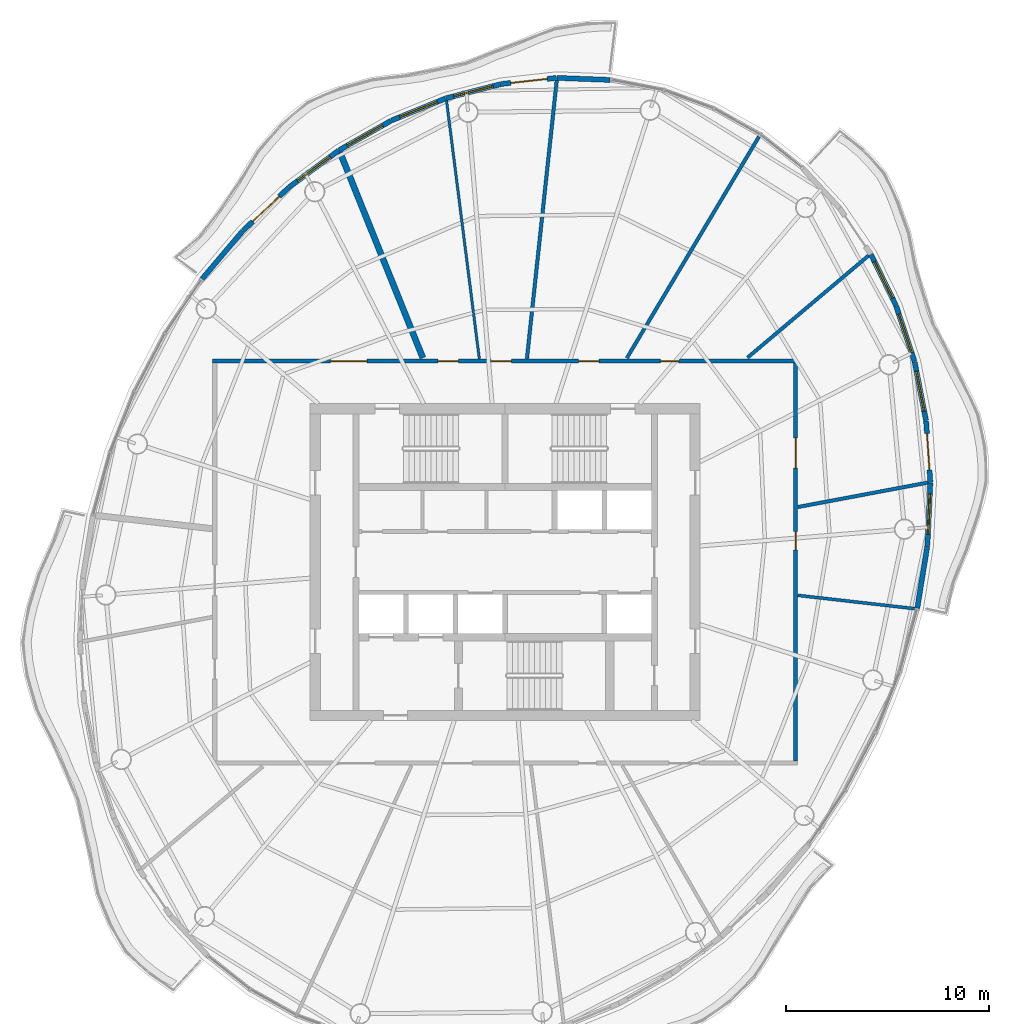
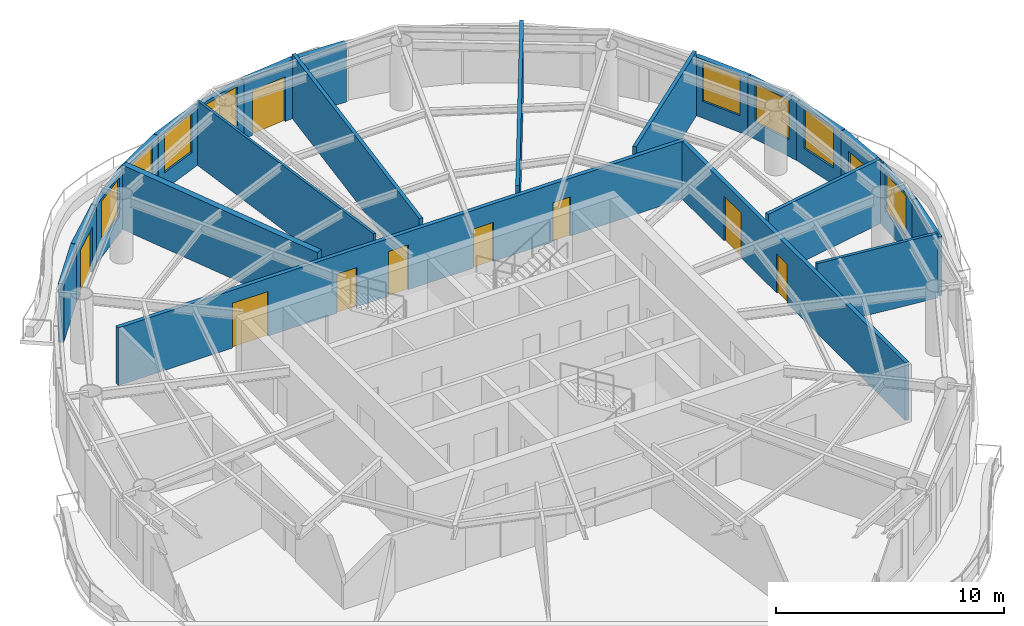
# One storey, part 9 of 13: 23 walls, 10 doors, 8 windows, 18 openings.
"""IFC4 building model written with IfcOpenShell, lengths in metres."""

from ifc_helpers import new_model, si_unit, direction, frame, frame_2d, origin, place, context, subcontext, project, spatial, rectangle, extrude, material, layer, layer_set, type_object, element, fill, save


model = new_model("IFC4")

# Units and contexts
model_context = context("Model", 3, precision=1e-05, world=origin(), true_north=direction((0.0, 1.0)))
body_context = subcontext(model_context, "Body", "Model", "MODEL_VIEW")
ifc_project = project(units=[si_unit("LENGTHUNIT", "METRE"), si_unit("AREAUNIT", "SQUARE_METRE"), si_unit("VOLUMEUNIT", "CUBIC_METRE"), si_unit("PLANEANGLEUNIT", "RADIAN"), si_unit("MASSUNIT", "GRAM", prefix="KILO")], contexts=[model_context])

# Site, building, storey
site_placement = place(None, origin())
site = spatial("IfcSite", under=ifc_project, at=site_placement, CompositionType="ELEMENT")
building_placement = place(site_placement, origin())
building = spatial("IfcBuilding", under=site, at=building_placement, Name="Vermilion Reach Broadcast Tower", CompositionType="ELEMENT")
storey_placement = place(building_placement, frame((0.0, 0.0, 293.699951171875)))
storey = spatial("IfcBuildingStorey", under=building, at=storey_placement, Name="L73", CompositionType="ELEMENT", Elevation=293.699951171875)

# Walls
ifc_material_1 = material(Name="Fire-rated plasterboard on steel stud", Category="steel")
ifc_layer_1 = layer(ifc_material_1, 0.125)
ifc_layer_set_1 = layer_set([ifc_layer_1], Name="Partition 125 fire-rated stud")
wall_type_1 = type_object("IfcWallType", Name="Partition 125 fire-rated stud", PredefinedType="PARTITIONING", material=ifc_layer_set_1)
wall_1_placement = place(storey_placement, frame((-8.88525390625, 22.716064453125, 0.0), z_axis=(0.0, 0.0, 1.0), x_axis=(0.125993078933, -0.99203112051, 0.0)))
element("IfcWall", 1, at=wall_1_placement, inside=storey, type_object=wall_type_1, Name="Partition 73.02", PredefinedType="PARTITIONING", context=body_context, shape_type="SweptSolid", body=[
    extrude(rectangle(XDim=12.810302734375, YDim=0.125, at=frame_2d((6.4052734375, 0.0))), origin(), (0.0, 0.0, 1.0), 3.449951171875),
])
ifc_material_2 = material(Name="Lightweight concrete block, plastered", Category="concrete")
ifc_layer_2 = layer(ifc_material_2, 0.14990234375)
ifc_layer_set_2 = layer_set([ifc_layer_2], Name="Partition 150 lightweight block")
wall_type_2 = type_object("IfcWallType", Name="Partition 150 lightweight block", PredefinedType="PARTITIONING", material=ifc_layer_set_2)
wall_2_placement = place(storey_placement, frame((14.16552734375, -2.295166015625, 0.0), z_axis=(0.0, 0.0, 1.0), x_axis=(-0.993584718802, 0.113090258482, 0.0)))
element("IfcWall", 2, at=wall_2_placement, inside=storey, type_object=wall_type_2, Name="Partition 73.10", PredefinedType="PARTITIONING", context=body_context, shape_type="SweptSolid", body=[
    extrude(rectangle(XDim=5.794189453125, YDim=0.14990234375, at=frame_2d((2.89697265625, 0.0))), origin(), (0.0, 0.0, 1.0), 3.449951171875),
])
ifc_material_3 = material(Name="Fire-rated block, plastered")
ifc_layer_3 = layer(ifc_material_3, 0.175048828125)
ifc_layer_set_3 = layer_set([ifc_layer_3], Name="Partition 175 fire-rated block")
wall_type_3 = type_object("IfcWallType", Name="Partition 175 fire-rated block", PredefinedType="PARTITIONING", material=ifc_layer_set_3)
wall_3_placement = place(storey_placement, frame((-3.459228515625, 23.717041015625, 0.0), z_axis=(0.0, 0.0, 1.0), x_axis=(-0.10651999257, -0.994310560732, 0.0)))
element("IfcWall", 3, at=wall_3_placement, inside=storey, type_object=wall_type_3, Name="Partition 73.01", PredefinedType="PARTITIONING", context=body_context, shape_type="SweptSolid", body=[
    extrude(rectangle(XDim=13.7861328125, YDim=0.175048828125, at=frame_2d((6.89306640625, 0.0))), origin(), (0.0, 0.0, 1.0), 3.449951171875),
])
wall_4_placement = place(storey_placement, frame((14.81494140625, 3.911865234375, 0.0), z_axis=(0.0, 0.0, 1.0), x_axis=(-0.982791861664, -0.184716422243, 0.0)))
element("IfcWall", 4, at=wall_4_placement, inside=storey, type_object=wall_type_3, Name="Partition 73.11", PredefinedType="PARTITIONING", context=body_context, shape_type="SweptSolid", body=[
    extrude(rectangle(XDim=6.5107421875, YDim=0.175048828125, at=frame_2d((3.25537109375, 0.0))), origin(), (0.0, 0.0, 1.0), 3.449951171875),
])
wall_5_placement = place(storey_placement, frame((11.902099609375, 15.095458984375, 0.0), z_axis=(0.0, 0.0, 1.0), x_axis=(-0.764496313842, -0.644628099079, 0.0)))
element("IfcWall", 5, at=wall_5_placement, inside=storey, type_object=wall_type_3, Name="Partition 73.12", PredefinedType="PARTITIONING", context=body_context, shape_type="SweptSolid", body=[
    extrude(rectangle(XDim=7.80078125, YDim=0.175048828125, at=frame_2d((3.900390625, 0.0))), origin(), (0.0, 0.0, 1.0), 3.449951171875),
])
wall_6_placement = place(storey_placement, frame((6.49560546875, 20.940185546875, 0.0), z_axis=(0.0, 0.0, 1.0), x_axis=(-0.512439887576, -0.858723099503, 0.0)))
element("IfcWall", 6, at=wall_6_placement, inside=storey, type_object=wall_type_3, Name="Partition 73.13", PredefinedType="PARTITIONING", context=body_context, shape_type="SweptSolid", body=[
    extrude(rectangle(XDim=12.687744140625, YDim=0.175048828125, at=frame_2d((6.34375, 0.0))), origin(), (0.0, 0.0, 1.0), 3.449951171875),
])
ifc_material_4 = material(Name="Double-leaf plasterboard on isolated steel stud", Category="steel")
ifc_layer_4 = layer(ifc_material_4, 0.300048828125)
ifc_layer_set_4 = layer_set([ifc_layer_4], Name="Partition 300 acoustic double leaf")
wall_type_4 = type_object("IfcWallType", Name="Partition 300 acoustic double leaf", PredefinedType="PARTITIONING", material=ifc_layer_set_4)
wall_7_placement = place(storey_placement, frame((-14.126220703125, 20.16552734375, 0.0), z_axis=(0.0, 0.0, 1.0), x_axis=(0.373780009818, -0.927517387579, 0.0)))
element("IfcWall", 7, at=wall_7_placement, inside=storey, type_object=wall_type_4, Name="Partition 73.03", PredefinedType="PARTITIONING", context=body_context, shape_type="SweptSolid", body=[
    extrude(rectangle(XDim=10.8994140625, YDim=0.300048828125, at=frame_2d((5.44970703125, 0.0))), origin(), (0.0, 0.0, 1.0), 3.449951171875),
])
ifc_material_5 = material(Name="Terracotta rainscreen cladding", Category="masonry")
ifc_layer_5 = layer(ifc_material_5, 0.25)
ifc_layer_set_5 = layer_set([ifc_layer_5], Name="Terracotta rainscreen wall 250")
wall_type_5 = type_object("IfcWallType", Name="Terracotta rainscreen wall 250", PredefinedType="SOLIDWALL", material=ifc_layer_set_5)
wall_8_placement = place(storey_placement, frame((-0.8330078125, 23.739990234375, 0.0), z_axis=(0.0, 0.0, 1.0), x_axis=(-0.999251644624, 0.038680107501, 0.0)))
element("IfcWall", 8, at=wall_8_placement, inside=storey, type_object=wall_type_5, Name="External wall L73 02", PredefinedType="SOLIDWALL", context=body_context, shape_type="SweptSolid", body=[
    extrude(rectangle(XDim=2.619384765625, YDim=0.25, at=frame_2d((1.3095703125, 0.0))), origin(), (0.0, 0.0, 1.0), 3.150146484375),
])

# Wall, opening, door
wall_9_placement = place(storey_placement, frame((-3.47705078125, 23.84033203125, 0.0), z_axis=(0.0, 0.0, 1.0), x_axis=(-0.993924144264, -0.110067231499, 0.0)))
wall_9 = element("IfcWall", 9, at=wall_9_placement, inside=storey, type_object=wall_type_5, Name="External wall L73 03", PredefinedType="SOLIDWALL", context=body_context, shape_type="SweptSolid", body=[
    extrude(rectangle(XDim=2.7216796875, YDim=0.25, at=frame_2d((1.36083984375, 0.0))), origin(), (0.0, 0.0, 1.0), 3.150146484375),
])
opening_1_placement = place(wall_9_placement, frame((0.4609375, 0.0, 0.0)))
opening_1 = element("IfcOpeningElement", 10, at=opening_1_placement, cuts=wall_9, Name="Opening D70", PredefinedType="OPENING", context=body_context, shape_type="SweptSolid", body=[
    extrude(rectangle(XDim=1.800048828125, YDim=2.39990234375, at=frame_2d((0.89990234375, 1.199951171875))), frame((0.0, 0.135009765625, 0.0), z_axis=(0.0, -1.0, 0.0), x_axis=(1.0, 0.0, 0.0)), (0.0, 0.0, 1.0), 0.27001953125),
])
ifc_material_6 = material(Name="Low-e laminated clear glass in aluminium frame", Category="aluminium")
door_type_1 = type_object("IfcDoorType", Name="Balcony sliding door 1800 x 2400", OperationType="DOUBLE_DOOR_SLIDING", PredefinedType="DOOR", material=ifc_material_6)
door_1_placement = place(opening_1_placement, origin())
door_1 = element("IfcDoor", 11, at=door_1_placement, inside=storey, type_object=door_type_1, Name="Balcony door L73 run 01", OperationType="DOUBLE_DOOR_SLIDING", OverallHeight=2.39990234375, OverallWidth=1.800048828125, PredefinedType="DOOR", context=body_context, shape_type="SweptSolid", body=[
    extrude(rectangle(XDim=1.800048828125, YDim=2.39990234375, at=frame_2d((0.89990234375, 1.199951171875))), frame((0.0, 0.02490234375, 0.0), z_axis=(0.0, -1.0, 0.0), x_axis=(1.0, 0.0, 0.0)), (0.0, 0.0, 1.0), 0.050048828125),
])
fill(opening_1, door_1)

# Wall, opening, window
wall_10_placement = place(storey_placement, frame((-6.207275390625, 23.5361328125, 0.0), z_axis=(0.0, 0.0, 1.0), x_axis=(-0.968247991757, -0.249991652777, 0.0)))
wall_10 = element("IfcWall", 12, at=wall_10_placement, inside=storey, type_object=wall_type_5, Name="External wall L73 04", PredefinedType="SOLIDWALL", context=body_context, shape_type="SweptSolid", body=[
    extrude(rectangle(XDim=2.7939453125, YDim=0.25, at=frame_2d((1.39697265625, 0.0))), origin(), (0.0, 0.0, 1.0), 3.150146484375),
])
opening_2_placement = place(wall_10_placement, frame((0.39697265625, 0.0, 0.89990234375)))
opening_2 = element("IfcOpeningElement", 13, at=opening_2_placement, cuts=wall_10, Name="Opening W03", PredefinedType="OPENING", context=body_context, shape_type="SweptSolid", body=[
    extrude(rectangle(XDim=2.0, YDim=2.10009765625, at=frame_2d((1.0, 1.050048828125))), frame((0.0, 0.135009765625, 0.0), z_axis=(0.0, -1.0, 0.0), x_axis=(1.0, 0.0, 0.0)), (0.0, 0.0, 1.0), 0.27001953125),
])
ifc_material_7 = material(Name="Low-e laminated clear glass in aluminium frame", Category="aluminium")
window_type = type_object("IfcWindowType", Name="Punched window 2000 x 2100 sill 900", PartitioningType="SINGLE_PANEL", PredefinedType="WINDOW", material=ifc_material_7)
window_1_placement = place(opening_2_placement, origin())
window_1 = element("IfcWindow", 14, at=window_1_placement, inside=storey, type_object=window_type, Name="Window L73 04", OverallHeight=2.10009765625, OverallWidth=2.0, PartitioningType="SINGLE_PANEL", PredefinedType="WINDOW", context=body_context, shape_type="SweptSolid", body=[
    extrude(rectangle(XDim=2.0, YDim=2.10009765625, at=frame_2d((1.0, 1.050048828125))), frame((0.0, 0.030029296875, 0.0), z_axis=(0.0, -1.0, 0.0), x_axis=(1.0, 0.0, 0.0)), (0.0, 0.0, 1.0), 0.06005859375),
])
fill(opening_2, window_1)

wall_11_placement = place(storey_placement, frame((-8.936279296875, 22.829833984375, 0.0), z_axis=(0.0, 0.0, 1.0), x_axis=(-0.925732306154, -0.378179451243, 0.0)))
wall_11 = element("IfcWall", 15, at=wall_11_placement, inside=storey, type_object=wall_type_5, Name="External wall L73 05", PredefinedType="SOLIDWALL", context=body_context, shape_type="SweptSolid", body=[
    extrude(rectangle(XDim=2.872802734375, YDim=0.25, at=frame_2d((1.4365234375, 0.0))), origin(), (0.0, 0.0, 1.0), 3.150146484375),
])
opening_3_placement = place(wall_11_placement, frame((0.436279296875, 0.0, 0.89990234375)))
opening_3 = element("IfcOpeningElement", 16, at=opening_3_placement, cuts=wall_11, Name="Opening W03", PredefinedType="OPENING", context=body_context, shape_type="SweptSolid", body=[
    extrude(rectangle(XDim=2.0, YDim=2.10009765625, at=frame_2d((1.0, 1.050048828125))), frame((0.0, 0.135009765625, 0.0), z_axis=(0.0, -1.0, 0.0), x_axis=(1.0, 0.0, 0.0)), (0.0, 0.0, 1.0), 0.27001953125),
])
window_2_placement = place(opening_3_placement, origin())
window_2 = element("IfcWindow", 17, at=window_2_placement, inside=storey, type_object=window_type, Name="Window L73 05", OverallHeight=2.10009765625, OverallWidth=2.0, PartitioningType="SINGLE_PANEL", PredefinedType="WINDOW", context=body_context, shape_type="SweptSolid", body=[
    extrude(rectangle(XDim=2.0, YDim=2.10009765625, at=frame_2d((1.0, 1.050048828125))), frame((0.0, 0.030029296875, 0.0), z_axis=(0.0, -1.0, 0.0), x_axis=(1.0, 0.0, 0.0)), (0.0, 0.0, 1.0), 0.06005859375),
])
fill(opening_3, window_2)

wall_12_placement = place(storey_placement, frame((-11.6171875, 21.73291015625, 0.0), z_axis=(0.0, 0.0, 1.0), x_axis=(-0.869684955628, -0.493607210194, 0.0)))
wall_12 = element("IfcWall", 18, at=wall_12_placement, inside=storey, type_object=wall_type_5, Name="External wall L73 06", PredefinedType="SOLIDWALL", context=body_context, shape_type="SweptSolid", body=[
    extrude(rectangle(XDim=2.951904296875, YDim=0.25, at=frame_2d((1.47607421875, 0.0))), origin(), (0.0, 0.0, 1.0), 3.150146484375),
])
opening_4_placement = place(wall_12_placement, frame((0.475830078125, 0.0, 0.89990234375)))
opening_4 = element("IfcOpeningElement", 19, at=opening_4_placement, cuts=wall_12, Name="Opening W03", PredefinedType="OPENING", context=body_context, shape_type="SweptSolid", body=[
    extrude(rectangle(XDim=2.0, YDim=2.10009765625, at=frame_2d((1.0, 1.050048828125))), frame((0.0, 0.135009765625, 0.0), z_axis=(0.0, -1.0, 0.0), x_axis=(1.0, 0.0, 0.0)), (0.0, 0.0, 1.0), 0.27001953125),
])
window_3_placement = place(opening_4_placement, origin())
window_3 = element("IfcWindow", 20, at=window_3_placement, inside=storey, type_object=window_type, Name="Window L73 06", OverallHeight=2.10009765625, OverallWidth=2.0, PartitioningType="SINGLE_PANEL", PredefinedType="WINDOW", context=body_context, shape_type="SweptSolid", body=[
    extrude(rectangle(XDim=2.0, YDim=2.10009765625, at=frame_2d((1.0, 1.050048828125))), frame((0.0, 0.030029296875, 0.0), z_axis=(0.0, -1.0, 0.0), x_axis=(1.0, 0.0, 0.0)), (0.0, 0.0, 1.0), 0.06005859375),
])
fill(opening_4, window_3)

wall_13_placement = place(storey_placement, frame((-14.203857421875, 20.26318359375, 0.0), z_axis=(0.0, 0.0, 1.0), x_axis=(-0.803029531198, -0.595939235178, 0.0)))
wall_13 = element("IfcWall", 21, at=wall_13_placement, inside=storey, type_object=wall_type_5, Name="External wall L73 07", PredefinedType="SOLIDWALL", context=body_context, shape_type="SweptSolid", body=[
    extrude(rectangle(XDim=3.0263671875, YDim=0.25, at=frame_2d((1.51318359375, 0.0))), origin(), (0.0, 0.0, 1.0), 3.150146484375),
])
opening_5_placement = place(wall_13_placement, frame((0.51318359375, 0.0, 0.89990234375)))
opening_5 = element("IfcOpeningElement", 22, at=opening_5_placement, cuts=wall_13, Name="Opening W03", PredefinedType="OPENING", context=body_context, shape_type="SweptSolid", body=[
    extrude(rectangle(XDim=2.0, YDim=2.10009765625, at=frame_2d((1.0, 1.050048828125))), frame((0.0, 0.135009765625, 0.0), z_axis=(0.0, -1.0, 0.0), x_axis=(1.0, 0.0, 0.0)), (0.0, 0.0, 1.0), 0.27001953125),
])
window_4_placement = place(opening_5_placement, origin())
window_4 = element("IfcWindow", 23, at=window_4_placement, inside=storey, type_object=window_type, Name="Window L73 07", OverallHeight=2.10009765625, OverallWidth=2.0, PartitioningType="SINGLE_PANEL", PredefinedType="WINDOW", context=body_context, shape_type="SweptSolid", body=[
    extrude(rectangle(XDim=2.0, YDim=2.10009765625, at=frame_2d((1.0, 1.050048828125))), frame((0.0, 0.030029296875, 0.0), z_axis=(0.0, -1.0, 0.0), x_axis=(1.0, 0.0, 0.0)), (0.0, 0.0, 1.0), 0.06005859375),
])
fill(opening_5, window_4)

# Wall, opening, door
wall_14_placement = place(storey_placement, frame((-16.6513671875, 18.4453125, 0.0), z_axis=(0.0, 0.0, 1.0), x_axis=(-0.728070141896, -0.685502639295, 0.0)))
wall_14 = element("IfcWall", 24, at=wall_14_placement, inside=storey, type_object=wall_type_5, Name="External wall L73 08", PredefinedType="SOLIDWALL", context=body_context, shape_type="SweptSolid", body=[
    extrude(rectangle(XDim=3.09130859375, YDim=0.25, at=frame_2d((1.545654296875, 0.0))), origin(), (0.0, 0.0, 1.0), 3.150146484375),
])
opening_6_placement = place(wall_14_placement, frame((0.64599609375, 0.0, 0.0)))
opening_6 = element("IfcOpeningElement", 25, at=opening_6_placement, cuts=wall_14, Name="Opening D70", PredefinedType="OPENING", context=body_context, shape_type="SweptSolid", body=[
    extrude(rectangle(XDim=1.800048828125, YDim=2.39990234375, at=frame_2d((0.89990234375, 1.199951171875))), frame((0.0, 0.135009765625, 0.0), z_axis=(0.0, -1.0, 0.0), x_axis=(1.0, 0.0, 0.0)), (0.0, 0.0, 1.0), 0.27001953125),
])
door_2_placement = place(opening_6_placement, origin())
door_2 = element("IfcDoor", 26, at=door_2_placement, inside=storey, type_object=door_type_1, Name="Balcony door L73 run 02", OperationType="DOUBLE_DOOR_SLIDING", OverallHeight=2.39990234375, OverallWidth=1.800048828125, PredefinedType="DOOR", context=body_context, shape_type="SweptSolid", body=[
    extrude(rectangle(XDim=1.800048828125, YDim=2.39990234375, at=frame_2d((0.89990234375, 1.199951171875))), frame((0.0, 0.02490234375, 0.0), z_axis=(0.0, -1.0, 0.0), x_axis=(1.0, 0.0, 0.0)), (0.0, 0.0, 1.0), 0.050048828125),
])
fill(opening_6, door_2)

# Walls
for number, where, z_axis, x_axis, name in (
    (27, (-18.917236328125, 16.31005859375, 0.0), (0.0, 0.0, 1.0), (-0.646362376252, -0.763030588224, 0.0), "External wall L73 09"),
    (28, (14.29638671875, -2.267578125, 0.0), (0.0, 0.0, 1.0), (0.159440477827, 0.987207543544, 0.0), "External wall L73 38"),
):
    element("IfcWall", number, at=place(storey_placement, frame(where, z_axis=z_axis, x_axis=x_axis)), inside=storey, type_object=wall_type_5, Name=name, PredefinedType="SOLIDWALL", context=body_context, shape_type="SweptSolid", body=[
        extrude(rectangle(XDim=3.09912109375, YDim=0.25, at=frame_2d((1.549560546875, 0.0))), origin(), (0.0, 0.0, 1.0), 3.150146484375),
    ])

# Wall, opening, window
wall_15_placement = place(storey_placement, frame((14.79296875, 0.81396484375, 0.0), z_axis=(0.0, 0.0, 1.0), x_axis=(0.047385042598, 0.998876697965, 0.0)))
wall_15 = element("IfcWall", 29, at=wall_15_placement, inside=storey, type_object=wall_type_5, Name="External wall L73 39", PredefinedType="SOLIDWALL", context=body_context, shape_type="SweptSolid", body=[
    extrude(rectangle(XDim=3.09130859375, YDim=0.25, at=frame_2d((1.545654296875, 0.0))), origin(), (0.0, 0.0, 1.0), 3.150146484375),
])
opening_7_placement = place(wall_15_placement, frame((0.545654296875, 0.0, 0.89990234375)))
opening_7 = element("IfcOpeningElement", 30, at=opening_7_placement, cuts=wall_15, Name="Opening W03", PredefinedType="OPENING", context=body_context, shape_type="SweptSolid", body=[
    extrude(rectangle(XDim=2.0, YDim=2.10009765625, at=frame_2d((1.0, 1.050048828125))), frame((0.0, 0.135009765625, 0.0), z_axis=(0.0, -1.0, 0.0), x_axis=(1.0, 0.0, 0.0)), (0.0, 0.0, 1.0), 0.27001953125),
])
window_5_placement = place(opening_7_placement, origin())
window_5 = element("IfcWindow", 31, at=window_5_placement, inside=storey, type_object=window_type, Name="Window L73 39", OverallHeight=2.10009765625, OverallWidth=2.0, PartitioningType="SINGLE_PANEL", PredefinedType="WINDOW", context=body_context, shape_type="SweptSolid", body=[
    extrude(rectangle(XDim=2.0, YDim=2.10009765625, at=frame_2d((1.0, 1.050048828125))), frame((0.0, 0.030029296875, 0.0), z_axis=(0.0, -1.0, 0.0), x_axis=(1.0, 0.0, 0.0)), (0.0, 0.0, 1.0), 0.06005859375),
])
fill(opening_7, window_5)

# Wall, opening, door
wall_16_placement = place(storey_placement, frame((14.939208984375, 3.924560546875, 0.0), z_axis=(0.0, 0.0, 1.0), x_axis=(-0.069463827697, 0.997584470931, 0.0)))
wall_16 = element("IfcWall", 32, at=wall_16_placement, inside=storey, type_object=wall_type_5, Name="External wall L73 40", PredefinedType="SOLIDWALL", context=body_context, shape_type="SweptSolid", body=[
    extrude(rectangle(XDim=3.026123046875, YDim=0.25, at=frame_2d((1.51318359375, 0.0))), origin(), (0.0, 0.0, 1.0), 3.150146484375),
])
opening_8_placement = place(wall_16_placement, frame((0.613037109375, 0.0, 0.0)))
opening_8 = element("IfcOpeningElement", 33, at=opening_8_placement, cuts=wall_16, Name="Opening D70", PredefinedType="OPENING", context=body_context, shape_type="SweptSolid", body=[
    extrude(rectangle(XDim=1.800048828125, YDim=2.39990234375, at=frame_2d((0.89990234375, 1.199951171875))), frame((0.0, 0.135009765625, 0.0), z_axis=(0.0, -1.0, 0.0), x_axis=(1.0, 0.0, 0.0)), (0.0, 0.0, 1.0), 0.27001953125),
])
door_3_placement = place(opening_8_placement, origin())
door_3 = element("IfcDoor", 34, at=door_3_placement, inside=storey, type_object=door_type_1, Name="Balcony door L73 run 10", OperationType="DOUBLE_DOOR_SLIDING", OverallHeight=2.39990234375, OverallWidth=1.800048828125, PredefinedType="DOOR", context=body_context, shape_type="SweptSolid", body=[
    extrude(rectangle(XDim=1.800048828125, YDim=2.39990234375, at=frame_2d((0.89990234375, 1.199951171875))), frame((0.0, 0.02490234375, 0.0), z_axis=(0.0, -1.0, 0.0), x_axis=(1.0, 0.0, 0.0)), (0.0, 0.0, 1.0), 0.050048828125),
])
fill(opening_8, door_3)

# Wall, opening, window
wall_17_placement = place(storey_placement, frame((14.725830078125, 6.96630859375, 0.0), z_axis=(0.0, 0.0, 1.0), x_axis=(-0.190466761953, 0.981693644978, 0.0)))
wall_17 = element("IfcWall", 35, at=wall_17_placement, inside=storey, type_object=wall_type_5, Name="External wall L73 41", PredefinedType="SOLIDWALL", context=body_context, shape_type="SweptSolid", body=[
    extrude(rectangle(XDim=2.951904296875, YDim=0.25, at=frame_2d((1.47607421875, 0.0))), origin(), (0.0, 0.0, 1.0), 3.150146484375),
])
opening_9_placement = place(wall_17_placement, frame((0.475830078125, 0.0, 0.89990234375)))
opening_9 = element("IfcOpeningElement", 36, at=opening_9_placement, cuts=wall_17, Name="Opening W03", PredefinedType="OPENING", context=body_context, shape_type="SweptSolid", body=[
    extrude(rectangle(XDim=2.0, YDim=2.10009765625, at=frame_2d((1.0, 1.050048828125))), frame((0.0, 0.135009765625, 0.0), z_axis=(0.0, -1.0, 0.0), x_axis=(1.0, 0.0, 0.0)), (0.0, 0.0, 1.0), 0.27001953125),
])
window_6_placement = place(opening_9_placement, origin())
window_6 = element("IfcWindow", 37, at=window_6_placement, inside=storey, type_object=window_type, Name="Window L73 41", OverallHeight=2.10009765625, OverallWidth=2.0, PartitioningType="SINGLE_PANEL", PredefinedType="WINDOW", context=body_context, shape_type="SweptSolid", body=[
    extrude(rectangle(XDim=2.0, YDim=2.10009765625, at=frame_2d((1.0, 1.050048828125))), frame((0.0, 0.030029296875, 0.0), z_axis=(0.0, -1.0, 0.0), x_axis=(1.0, 0.0, 0.0)), (0.0, 0.0, 1.0), 0.06005859375),
])
fill(opening_9, window_6)

wall_18_placement = place(storey_placement, frame((14.157470703125, 9.887451171875, 0.0), z_axis=(0.0, 0.0, 1.0), x_axis=(-0.314544485277, 0.949242733331, 0.0)))
wall_18 = element("IfcWall", 38, at=wall_18_placement, inside=storey, type_object=wall_type_5, Name="External wall L73 42", PredefinedType="SOLIDWALL", context=body_context, shape_type="SweptSolid", body=[
    extrude(rectangle(XDim=2.87255859375, YDim=0.25, at=frame_2d((1.436279296875, 0.0))), origin(), (0.0, 0.0, 1.0), 3.150146484375),
])
opening_10_placement = place(wall_18_placement, frame((0.436279296875, 0.0, 0.89990234375)))
opening_10 = element("IfcOpeningElement", 39, at=opening_10_placement, cuts=wall_18, Name="Opening W03", PredefinedType="OPENING", context=body_context, shape_type="SweptSolid", body=[
    extrude(rectangle(XDim=2.0, YDim=2.10009765625, at=frame_2d((1.0, 1.050048828125))), frame((0.0, 0.135009765625, 0.0), z_axis=(0.0, -1.0, 0.0), x_axis=(1.0, 0.0, 0.0)), (0.0, 0.0, 1.0), 0.27001953125),
])
window_7_placement = place(opening_10_placement, origin())
window_7 = element("IfcWindow", 40, at=window_7_placement, inside=storey, type_object=window_type, Name="Window L73 42", OverallHeight=2.10009765625, OverallWidth=2.0, PartitioningType="SINGLE_PANEL", PredefinedType="WINDOW", context=body_context, shape_type="SweptSolid", body=[
    extrude(rectangle(XDim=2.0, YDim=2.10009765625, at=frame_2d((1.0, 1.050048828125))), frame((0.0, 0.030029296875, 0.0), z_axis=(0.0, -1.0, 0.0), x_axis=(1.0, 0.0, 0.0)), (0.0, 0.0, 1.0), 0.06005859375),
])
fill(opening_10, window_7)

wall_19_placement = place(storey_placement, frame((13.244384765625, 12.63720703125, 0.0), z_axis=(0.0, 0.0, 1.0), x_axis=(-0.439683351092, 0.898152854904, 0.0)))
wall_19 = element("IfcWall", 41, at=wall_19_placement, inside=storey, type_object=wall_type_5, Name="External wall L73 43", PredefinedType="SOLIDWALL", context=body_context, shape_type="SweptSolid", body=[
    extrude(rectangle(XDim=2.794189453125, YDim=0.25, at=frame_2d((1.39697265625, 0.0))), origin(), (0.0, 0.0, 1.0), 3.150146484375),
])
opening_11_placement = place(wall_19_placement, frame((0.39697265625, 0.0, 0.89990234375)))
opening_11 = element("IfcOpeningElement", 42, at=opening_11_placement, cuts=wall_19, Name="Opening W03", PredefinedType="OPENING", context=body_context, shape_type="SweptSolid", body=[
    extrude(rectangle(XDim=2.0, YDim=2.10009765625, at=frame_2d((1.0, 1.050048828125))), frame((0.0, 0.135009765625, 0.0), z_axis=(0.0, -1.0, 0.0), x_axis=(1.0, 0.0, 0.0)), (0.0, 0.0, 1.0), 0.27001953125),
])
window_8_placement = place(opening_11_placement, origin())
window_8 = element("IfcWindow", 43, at=window_8_placement, inside=storey, type_object=window_type, Name="Window L73 43", OverallHeight=2.10009765625, OverallWidth=2.0, PartitioningType="SINGLE_PANEL", PredefinedType="WINDOW", context=body_context, shape_type="SweptSolid", body=[
    extrude(rectangle(XDim=2.0, YDim=2.10009765625, at=frame_2d((1.0, 1.050048828125))), frame((0.0, 0.030029296875, 0.0), z_axis=(0.0, -1.0, 0.0), x_axis=(1.0, 0.0, 0.0)), (0.0, 0.0, 1.0), 0.06005859375),
])
fill(opening_11, window_8)

# Wall, openings, doors
ifc_material_8 = material(Name="Fire-rated gypsum board partition")
ifc_layer_6 = layer(ifc_material_8, 0.199951171875)
ifc_layer_set_6 = layer_set([ifc_layer_6], Name="Under girder: Corridor wall 200 fire-rated")
wall_type_6 = type_object("IfcWallType", Name="Under girder: Corridor wall 200 fire-rated", PredefinedType="PARTITIONING", material=ifc_layer_set_6)
wall_20_placement = place(storey_placement, frame((-20.39990234375, 9.89990234375, 0.0), z_axis=(0.0, 0.0, 1.0), x_axis=(1.0, 0.0, 0.0)))
wall_20 = element("IfcWall", 44, at=wall_20_placement, inside=storey, type_object=wall_type_6, Name="Corridor wall 73.N", PredefinedType="PARTITIONING", context=body_context, shape_type="SweptSolid", body=[
    extrude(rectangle(XDim=28.7998046875, YDim=0.199951171875, at=frame_2d((14.39990234375, 0.0))), origin(), (0.0, 0.0, 1.0), 3.10009765625),
])
opening_12_placement = place(wall_20_placement, frame((13.707275390625, 0.0, 0.0)))
opening_12 = element("IfcOpeningElement", 45, at=opening_12_placement, cuts=wall_20, Name="Opening D23", PredefinedType="OPENING", context=body_context, shape_type="SweptSolid", body=[
    extrude(rectangle(XDim=1.0, YDim=2.39990234375, at=frame_2d((0.5, 1.199951171875))), frame((0.0, 0.10986328125, 0.0), z_axis=(0.0, -1.0, 0.0), x_axis=(1.0, 0.0, 0.0)), (0.0, 0.0, 1.0), 0.219970703125),
])
opening_13_placement = place(wall_20_placement, frame((11.09814453125, 0.0, 0.0)))
opening_13 = element("IfcOpeningElement", 46, at=opening_13_placement, cuts=wall_20, Name="Opening D20", PredefinedType="OPENING", context=body_context, shape_type="SweptSolid", body=[
    extrude(rectangle(XDim=1.0, YDim=2.10009765625, at=frame_2d((0.5, 1.050048828125))), frame((0.0, 0.10986328125, 0.0), z_axis=(0.0, -1.0, 0.0), x_axis=(1.0, 0.0, 0.0)), (0.0, 0.0, 1.0), 0.219970703125),
])
opening_14_placement = place(wall_20_placement, frame((5.799072265625, 0.0, 0.0)))
opening_14 = element("IfcOpeningElement", 47, at=opening_14_placement, cuts=wall_20, Name="Opening D27", PredefinedType="OPENING", context=body_context, shape_type="SweptSolid", body=[
    extrude(rectangle(XDim=1.800048828125, YDim=2.39990234375, at=frame_2d((0.89990234375, 1.199951171875))), frame((0.0, 0.10986328125, 0.0), z_axis=(0.0, -1.0, 0.0), x_axis=(1.0, 0.0, 0.0)), (0.0, 0.0, 1.0), 0.219970703125),
])
opening_15_placement = place(wall_20_placement, frame((22.039794921875, 0.0, 0.0)))
opening_15 = element("IfcOpeningElement", 48, at=opening_15_placement, cuts=wall_20, Name="Opening D22", PredefinedType="OPENING", context=body_context, shape_type="SweptSolid", body=[
    extrude(rectangle(XDim=0.89990234375, YDim=2.10009765625, at=frame_2d((0.449951171875, 1.050048828125))), frame((0.0, 0.10986328125, 0.0), z_axis=(0.0, -1.0, 0.0), x_axis=(1.0, 0.0, 0.0)), (0.0, 0.0, 1.0), 0.219970703125),
])
opening_16_placement = place(wall_20_placement, frame((18.0234375, 0.0, 0.0)))
opening_16 = element("IfcOpeningElement", 49, at=opening_16_placement, cuts=wall_20, Name="Opening D20", PredefinedType="OPENING", context=body_context, shape_type="SweptSolid", body=[
    extrude(rectangle(XDim=1.0, YDim=2.10009765625, at=frame_2d((0.5, 1.050048828125))), frame((0.0, 0.10986328125, 0.0), z_axis=(0.0, -1.0, 0.0), x_axis=(1.0, 0.0, 0.0)), (0.0, 0.0, 1.0), 0.219970703125),
])
ifc_material_9 = material(Name="Acoustic timber door leaf", Category="wood")
door_type_2 = type_object("IfcDoorType", Name="Door pair 1800x2400", OperationType="NOTDEFINED", PredefinedType="DOOR", material=ifc_material_9)
door_4_placement = place(opening_14_placement, origin())
door_4 = element("IfcDoor", 50, at=door_4_placement, inside=storey, type_object=door_type_2, Name="Door 73.03", OperationType="DOUBLE_DOOR_SINGLE_SWING", OverallHeight=2.39990234375, OverallWidth=1.800048828125, PredefinedType="DOOR", context=body_context, shape_type="SweptSolid", body=[
    extrude(rectangle(XDim=1.800048828125, YDim=2.39990234375, at=frame_2d((0.89990234375, 1.199951171875))), frame((0.0, 0.02490234375, 0.0), z_axis=(0.0, -1.0, 0.0), x_axis=(1.0, 0.0, 0.0)), (0.0, 0.0, 1.0), 0.050048828125),
])
fill(opening_14, door_4)
ifc_material_10 = material(Name="Timber door leaf", Category="wood")
door_type_3 = type_object("IfcDoorType", Name="Door single 1000x2100", OperationType="NOTDEFINED", PredefinedType="DOOR", material=ifc_material_10)
door_5_placement = place(opening_13_placement, origin())
door_5 = element("IfcDoor", 51, at=door_5_placement, inside=storey, type_object=door_type_3, Name="Door 73.02", OperationType="SINGLE_SWING_LEFT", OverallHeight=2.10009765625, OverallWidth=1.0, PredefinedType="DOOR", context=body_context, shape_type="SweptSolid", body=[
    extrude(rectangle(XDim=1.0, YDim=2.10009765625, at=frame_2d((0.5, 1.050048828125))), frame((0.0, 0.02490234375, 0.0), z_axis=(0.0, -1.0, 0.0), x_axis=(1.0, 0.0, 0.0)), (0.0, 0.0, 1.0), 0.050048828125),
])
fill(opening_13, door_5)
door_6_placement = place(opening_16_placement, origin())
door_6 = element("IfcDoor", 52, at=door_6_placement, inside=storey, type_object=door_type_3, Name="Door 73.13", OperationType="SINGLE_SWING_RIGHT", OverallHeight=2.10009765625, OverallWidth=1.0, PredefinedType="DOOR", context=body_context, shape_type="SweptSolid", body=[
    extrude(rectangle(XDim=1.0, YDim=2.10009765625, at=frame_2d((0.5, 1.050048828125))), frame((0.0, 0.02490234375, 0.0), z_axis=(0.0, -1.0, 0.0), x_axis=(1.0, 0.0, 0.0)), (0.0, 0.0, 1.0), 0.050048828125),
])
fill(opening_16, door_6)
ifc_material_11 = material(Name="Veneered timber door leaf", Category="wood")
door_type_4 = type_object("IfcDoorType", Name="Door single 1000x2400", OperationType="NOTDEFINED", PredefinedType="DOOR", material=ifc_material_11)
door_7_placement = place(opening_12_placement, origin())
door_7 = element("IfcDoor", 53, at=door_7_placement, inside=storey, type_object=door_type_4, Name="Door 73.01", OperationType="SINGLE_SWING_LEFT", OverallHeight=2.39990234375, OverallWidth=1.0, PredefinedType="DOOR", context=body_context, shape_type="SweptSolid", body=[
    extrude(rectangle(XDim=1.0, YDim=2.39990234375, at=frame_2d((0.5, 1.199951171875))), frame((0.0, 0.02490234375, 0.0), z_axis=(0.0, -1.0, 0.0), x_axis=(1.0, 0.0, 0.0)), (0.0, 0.0, 1.0), 0.050048828125),
])
fill(opening_12, door_7)
ifc_material_12 = material(Name="Timber door leaf", Category="wood")
door_type_5 = type_object("IfcDoorType", Name="Door single 900x2100", OperationType="NOTDEFINED", PredefinedType="DOOR", material=ifc_material_12)
door_8_placement = place(opening_15_placement, origin())
door_8 = element("IfcDoor", 54, at=door_8_placement, inside=storey, type_object=door_type_5, Name="Door 73.12", OperationType="SINGLE_SWING_LEFT", OverallHeight=2.10009765625, OverallWidth=0.89990234375, PredefinedType="DOOR", context=body_context, shape_type="SweptSolid", body=[
    extrude(rectangle(XDim=0.89990234375, YDim=2.10009765625, at=frame_2d((0.449951171875, 1.050048828125))), frame((0.0, 0.02490234375, 0.0), z_axis=(0.0, -1.0, 0.0), x_axis=(1.0, 0.0, 0.0)), (0.0, 0.0, 1.0), 0.050048828125),
])
fill(opening_15, door_8)

wall_21_placement = place(storey_placement, frame((8.300048828125, 9.800048828125, 0.0), z_axis=(0.0, 0.0, 1.0), x_axis=(0.0, -1.0, 0.0)))
wall_21 = element("IfcWall", 55, at=wall_21_placement, inside=storey, type_object=wall_type_6, Name="Corridor wall 73.E", PredefinedType="PARTITIONING", context=body_context, shape_type="SweptSolid", body=[
    extrude(rectangle(XDim=19.60009765625, YDim=0.199951171875, at=frame_2d((9.800048828125, 0.0))), origin(), (0.0, 0.0, 1.0), 3.10009765625),
])
opening_17_placement = place(wall_21_placement, frame((8.30224609375, 0.0, 0.0)))
opening_17 = element("IfcOpeningElement", 56, at=opening_17_placement, cuts=wall_21, Name="Opening D22", PredefinedType="OPENING", context=body_context, shape_type="SweptSolid", body=[
    extrude(rectangle(XDim=0.89990234375, YDim=2.10009765625, at=frame_2d((0.449951171875, 1.050048828125))), frame((0.0, 0.10986328125, 0.0), z_axis=(0.0, -1.0, 0.0), x_axis=(1.0, 0.0, 0.0)), (0.0, 0.0, 1.0), 0.219970703125),
])
opening_18_placement = place(wall_21_placement, frame((3.6806640625, 0.0, 0.0)))
opening_18 = element("IfcOpeningElement", 57, at=opening_18_placement, cuts=wall_21, Name="Opening D25", PredefinedType="OPENING", context=body_context, shape_type="SweptSolid", body=[
    extrude(rectangle(XDim=1.5, YDim=2.39990234375, at=frame_2d((0.75, 1.199951171875))), frame((0.0, 0.10986328125, 0.0), z_axis=(0.0, -1.0, 0.0), x_axis=(1.0, 0.0, 0.0)), (0.0, 0.0, 1.0), 0.219970703125),
])
ifc_material_13 = material(Name="Glazed timber door leaf", Category="wood")
door_type_6 = type_object("IfcDoorType", Name="Door pair 1500x2400", OperationType="NOTDEFINED", PredefinedType="DOOR", material=ifc_material_13)
door_9_placement = place(opening_18_placement, origin())
door_9 = element("IfcDoor", 58, at=door_9_placement, inside=storey, type_object=door_type_6, Name="Door 73.11", OperationType="DOUBLE_DOOR_SINGLE_SWING", OverallHeight=2.39990234375, OverallWidth=1.5, PredefinedType="DOOR", context=body_context, shape_type="SweptSolid", body=[
    extrude(rectangle(XDim=1.5, YDim=2.39990234375, at=frame_2d((0.75, 1.199951171875))), frame((0.0, 0.02490234375, 0.0), z_axis=(0.0, -1.0, 0.0), x_axis=(1.0, 0.0, 0.0)), (0.0, 0.0, 1.0), 0.050048828125),
])
fill(opening_18, door_9)
door_10_placement = place(opening_17_placement, origin())
door_10 = element("IfcDoor", 59, at=door_10_placement, inside=storey, type_object=door_type_5, Name="Door 73.10", OperationType="SINGLE_SWING_LEFT", OverallHeight=2.10009765625, OverallWidth=0.89990234375, PredefinedType="DOOR", context=body_context, shape_type="SweptSolid", body=[
    extrude(rectangle(XDim=0.89990234375, YDim=2.10009765625, at=frame_2d((0.449951171875, 1.050048828125))), frame((0.0, 0.02490234375, 0.0), z_axis=(0.0, -1.0, 0.0), x_axis=(1.0, 0.0, 0.0)), (0.0, 0.0, 1.0), 0.050048828125),
])
fill(opening_17, door_10)

save(model, "model.ifc")
